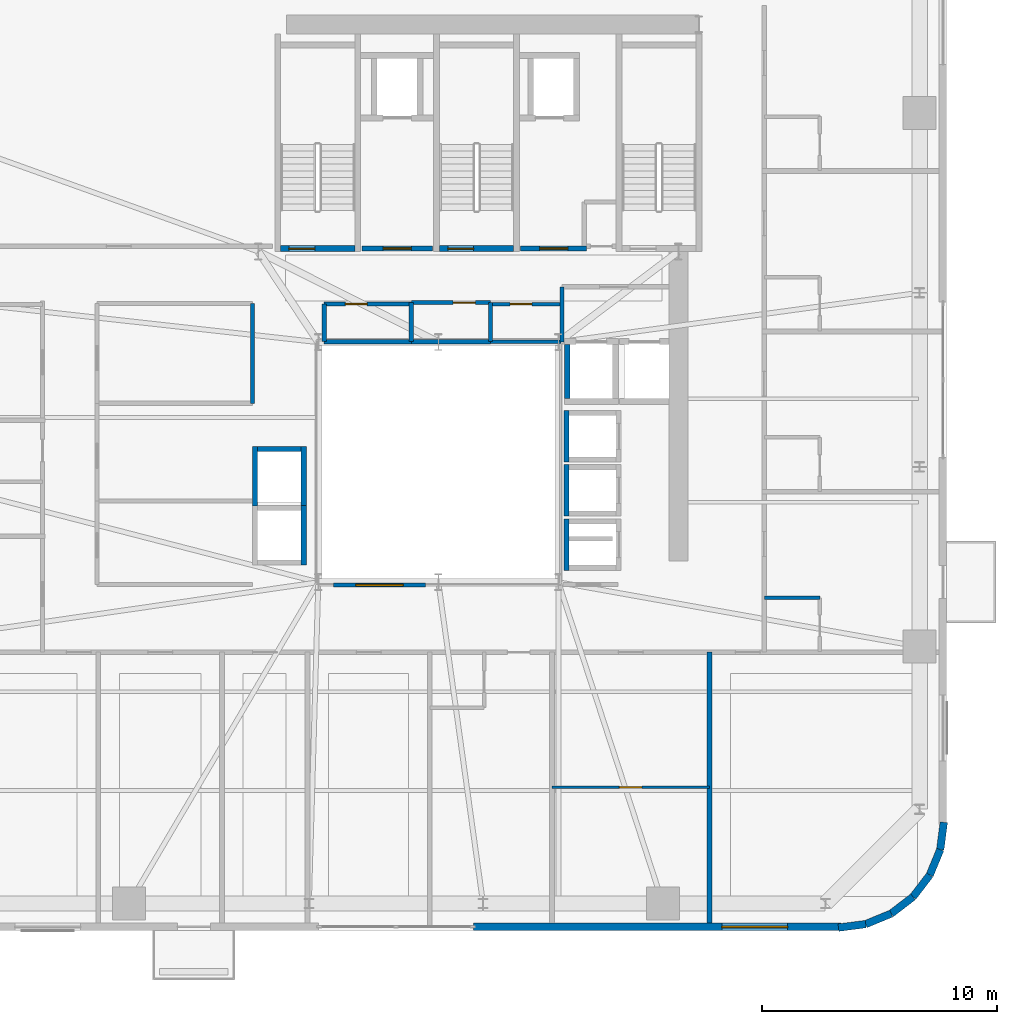
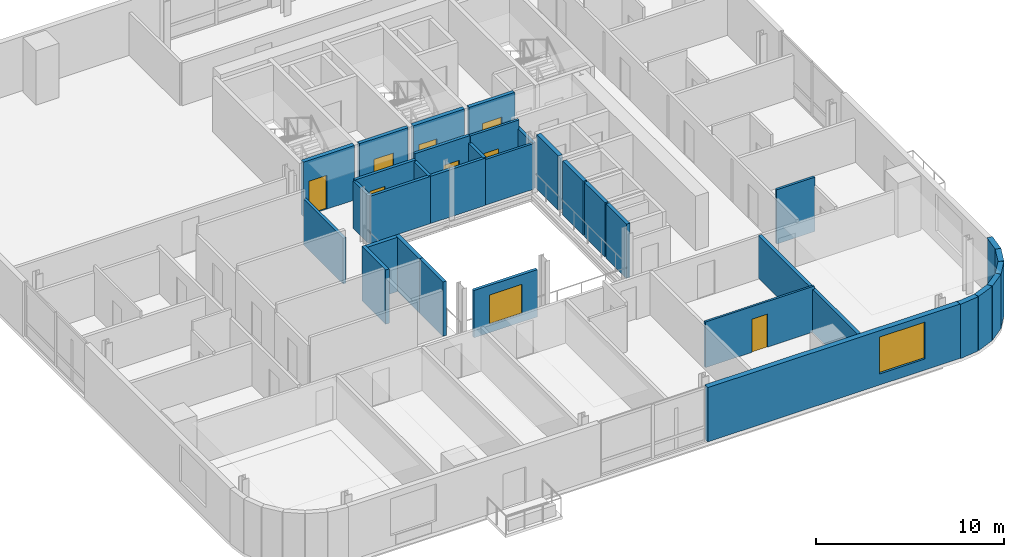
# One storey, part 8 of 13: 34 walls, 8 doors, 2 windows, 10 openings.
"""IFC4 building model written with IfcOpenShell, lengths in metres."""

from ifc_helpers import new_model, si_unit, direction, frame, frame_2d, origin, place, context, subcontext, project, spatial, rectangle, extrude, source, transform, mapped, material, layer, layer_set, type_object, element, fill, save


model = new_model("IFC4")

# Units and contexts
model_context = context("Model", 3, precision=1e-05, world=origin(), true_north=direction((0.0, 1.0)))
body_context = subcontext(model_context, "Body", "Model", "MODEL_VIEW")
ifc_project = project(units=[si_unit("LENGTHUNIT", "METRE"), si_unit("AREAUNIT", "SQUARE_METRE"), si_unit("VOLUMEUNIT", "CUBIC_METRE"), si_unit("PLANEANGLEUNIT", "RADIAN"), si_unit("MASSUNIT", "GRAM", prefix="KILO")], contexts=[model_context])

# Site, building, storey
site_placement = place(None, origin())
site = spatial("IfcSite", under=ifc_project, at=site_placement, CompositionType="ELEMENT")
building_placement = place(site_placement, origin())
building = spatial("IfcBuilding", under=site, at=building_placement, Name="Vardaveli Station Tower", CompositionType="ELEMENT")
storey_placement = place(building_placement, frame((0.0, 0.0, 196.050048828125)))
storey = spatial("IfcBuildingStorey", under=building, at=storey_placement, Name="L50", CompositionType="ELEMENT", Elevation=196.050048828125)

# Wall, opening, window
ifc_material_1 = material(Name="Precast concrete C45/55", Category="concrete")
ifc_layer_1 = layer(ifc_material_1, 0.320068359375, Name="Precast concrete C45/55")
ifc_layer_set_1 = layer_set([ifc_layer_1], Name="Precast concrete C45/55")
wall_type_1 = type_object("IfcWallType", Name="WAL-EXT-STONE-320", PredefinedType="SOLIDWALL", material=ifc_layer_set_1)
shared_shape_1 = source(origin(), body_context, "Body", "SweptSolid", [
    extrude(rectangle(XDim=15.599853515625, YDim=0.320068359375, at=frame_2d((7.7998046875, 0.0))), origin(), (0.0, 0.0, 1.0), 3.530029296875),
])
wall_1_placement = place(storey_placement, frame((37.800048828125, 1.9599609375, 0.0), z_axis=(0.0, 0.0, 1.0), x_axis=(1.0, 0.0, 0.0)))
wall_1 = element("IfcWall", 1, at=wall_1_placement, inside=storey, type_object=wall_type_1, Name="EW-L50-S2", PredefinedType="SOLIDWALL", context=body_context, shape_type="MappedRepresentation", body=[
    mapped(shared_shape_1, transform((0.0, 0.0, 0.0), scale=1.0)),
])
shared_shape_2 = source(origin(), body_context, "Body", "SweptSolid", [
    extrude(rectangle(XDim=2.800048828125, YDim=2.39990234375, at=frame_2d((1.39990234375, 1.199951171875))), frame((0.0, 0.169921875, 0.0), z_axis=(0.0, -1.0, 0.0), x_axis=(1.0, 0.0, 0.0)), (0.0, 0.0, 1.0), 0.340087890625),
])
opening_1_placement = place(wall_1_placement, frame((10.544921875, 0.0, 0.719970703125)))
opening_1 = element("IfcOpeningElement", 2, at=opening_1_placement, cuts=wall_1, Name="Opening W-04", PredefinedType="OPENING", context=body_context, shape_type="MappedRepresentation", body=[
    mapped(shared_shape_2, transform((0.0, 0.0, 0.0), scale=1.0)),
])
ifc_material_2 = material(Name="Low-E solar-control glass", Category="glass")
window_type_1 = type_object("IfcWindowType", Name="WIN-SUITE-2800x2400", PartitioningType="SINGLE_PANEL", PredefinedType="WINDOW", material=ifc_material_2)
shared_shape_3 = source(origin(), body_context, "Body", "SweptSolid", [
    extrude(rectangle(XDim=2.800048828125, YDim=2.39990234375, at=frame_2d((1.39990234375, 1.199951171875))), frame((0.0, 0.030029296875, 0.0), z_axis=(0.0, -1.0, 0.0), x_axis=(1.0, 0.0, 0.0)), (0.0, 0.0, 1.0), 0.06005859375),
])
window_1_placement = place(opening_1_placement, origin())
window_1 = element("IfcWindow", 3, at=window_1_placement, inside=storey, type_object=window_type_1, Name="WN-L50-S2", OverallHeight=2.39990234375, OverallWidth=2.800048828125, PartitioningType="SINGLE_PANEL", PredefinedType="WINDOW", context=body_context, shape_type="MappedRepresentation", body=[
    mapped(shared_shape_3, transform((0.0, 0.0, 0.0), scale=1.0)),
])
fill(opening_1, window_1)

# Walls
shared_shape_4 = source(origin(), body_context, "Body", "SweptSolid", [
    extrude(rectangle(XDim=1.170654296875, YDim=0.320068359375, at=frame_2d((0.58544921875, 0.0))), origin(), (0.0, 0.0, 1.0), 3.530029296875),
])
wall_2_placement = place(storey_placement, frame((57.62548828125, 5.23974609375, 0.0), z_axis=(0.0, 0.0, 1.0), x_axis=(0.128269133229, 0.991739395941, 0.0)))
element("IfcWall", 4, at=wall_2_placement, inside=storey, type_object=wall_type_1, Name="EW-L50-CR2-6", PredefinedType="SOLIDWALL", context=body_context, shape_type="MappedRepresentation", body=[
    mapped(shared_shape_4, transform((0.0, 0.0, 0.0), scale=1.0)),
])
shared_shape_5 = source(origin(), body_context, "Body", "SweptSolid", [
    extrude(rectangle(XDim=1.1689453125, YDim=0.320068359375, at=frame_2d((0.58447265625, 0.0))), origin(), (0.0, 0.0, 1.0), 3.530029296875),
])
for number, where, z_axis, x_axis, name in (
    (5, (56.46875, 3.231201171875, 0.0), (0.0, 0.0, 1.0), (0.608387696831, 0.793639975269, 0.0), "EW-L50-CR2-4"),
    (6, (57.179931640625, 4.158935546875, 0.0), (0.0, 0.0, 1.0), (0.381127904695, 0.924522320046, 0.0), "EW-L50-CR2-5"),
):
    element("IfcWall", number, at=place(storey_placement, frame(where, z_axis=z_axis, x_axis=x_axis)), inside=storey, type_object=wall_type_1, Name=name, PredefinedType="SOLIDWALL", context=body_context, shape_type="MappedRepresentation", body=[
        mapped(shared_shape_5, transform((0.0, 0.0, 0.0), scale=1.0)),
    ])
shared_shape_6 = source(origin(), body_context, "Body", "SweptSolid", [
    extrude(rectangle(XDim=1.168701171875, YDim=0.320068359375, at=frame_2d((0.58447265625, 0.0))), origin(), (0.0, 0.0, 1.0), 3.530029296875),
])
wall_3_placement = place(storey_placement, frame((55.541259765625, 2.520263671875, 0.0), z_axis=(0.0, 0.0, 1.0), x_axis=(0.793663520347, 0.608356981114, 0.0)))
element("IfcWall", 7, at=wall_3_placement, inside=storey, type_object=wall_type_1, Name="EW-L50-CR2-3", PredefinedType="SOLIDWALL", context=body_context, shape_type="MappedRepresentation", body=[
    mapped(shared_shape_6, transform((0.0, 0.0, 0.0), scale=1.0)),
])
shared_shape_7 = source(origin(), body_context, "Body", "SweptSolid", [
    extrude(rectangle(XDim=1.16943359375, YDim=0.320068359375, at=frame_2d((0.584716796875, 0.0))), origin(), (0.0, 0.0, 1.0), 3.530029296875),
])
wall_4_placement = place(storey_placement, frame((54.460205078125, 2.074462890625, 0.0), z_axis=(0.0, 0.0, 1.0), x_axis=(0.924479075121, 0.381232789334, 0.0)))
element("IfcWall", 8, at=wall_4_placement, inside=storey, type_object=wall_type_1, Name="EW-L50-CR2-2", PredefinedType="SOLIDWALL", context=body_context, shape_type="MappedRepresentation", body=[
    mapped(shared_shape_7, transform((0.0, 0.0, 0.0), scale=1.0)),
])
shared_shape_8 = source(origin(), body_context, "Body", "SweptSolid", [
    extrude(rectangle(XDim=1.170166015625, YDim=0.320068359375, at=frame_2d((0.5849609375, 0.0))), origin(), (0.0, 0.0, 1.0), 3.530029296875),
])
wall_5_placement = place(storey_placement, frame((53.299560546875, 1.924560546875, 0.0), z_axis=(0.0, 0.0, 1.0), x_axis=(0.991762485493, 0.128090485085, 0.0)))
element("IfcWall", 9, at=wall_5_placement, inside=storey, type_object=wall_type_1, Name="EW-L50-CR2-1", PredefinedType="SOLIDWALL", context=body_context, shape_type="MappedRepresentation", body=[
    mapped(shared_shape_8, transform((0.0, 0.0, 0.0), scale=1.0)),
])

# Wall, opening, door
ifc_material_3 = material(Name="Concrete C40/50", Category="concrete")
ifc_layer_2 = layer(ifc_material_3, 0.25, Name="Concrete C40/50")
ifc_layer_set_2 = layer_set([ifc_layer_2], Name="Concrete C40/50")
wall_type_2 = type_object("IfcWallType", Name="WAL-SHAFT-250", PredefinedType="SOLIDWALL", material=ifc_layer_set_2)
shared_shape_9 = source(origin(), body_context, "Body", "SweptSolid", [
    extrude(rectangle(XDim=3.14990234375, YDim=0.25, at=frame_2d((1.574951171875, 0.0))), origin(), (0.0, 0.0, 1.0), 3.550048828125),
])
wall_6_placement = place(storey_placement, frame((29.60009765625, 30.77490234375, 0.0), z_axis=(0.0, 0.0, 1.0), x_axis=(1.0, 0.0, 0.0)))
wall_6 = element("IfcWall", 10, at=wall_6_placement, inside=storey, type_object=wall_type_2, Name="W-L50-ST-1S", PredefinedType="SOLIDWALL", context=body_context, shape_type="MappedRepresentation", body=[
    mapped(shared_shape_9, transform((0.0, 0.0, 0.0), scale=1.0)),
])
shared_shape_10 = source(origin(), body_context, "Body", "SweptSolid", [
    extrude(rectangle(XDim=1.10009765625, YDim=2.199951171875, at=frame_2d((0.550048828125, 1.10009765625))), frame((0.0, 0.135009765625, 0.0), z_axis=(0.0, -1.0, 0.0), x_axis=(1.0, 0.0, 0.0)), (0.0, 0.0, 1.0), 0.27001953125),
])
opening_2_placement = place(wall_6_placement, frame((0.35009765625, 0.0, 0.0)))
opening_2 = element("IfcOpeningElement", 11, at=opening_2_placement, cuts=wall_6, Name="Opening D-04", PredefinedType="OPENING", context=body_context, shape_type="MappedRepresentation", body=[
    mapped(shared_shape_10, transform((0.0, 0.0, 0.0), scale=1.0)),
])
ifc_material_4 = material(Name="Steel smokeproof fire doorset", Category="steel")
door_type_1 = type_object("IfcDoorType", Name="DR-ST-1100x2200", OperationType="NOTDEFINED", PredefinedType="DOOR", material=ifc_material_4)
shared_shape_11 = source(origin(), body_context, "Body", "SweptSolid", [
    extrude(rectangle(XDim=1.10009765625, YDim=2.199951171875, at=frame_2d((0.550048828125, 1.10009765625))), frame((0.0, 0.02490234375, 0.0), z_axis=(0.0, -1.0, 0.0), x_axis=(1.0, 0.0, 0.0)), (0.0, 0.0, 1.0), 0.050048828125),
])
door_1_placement = place(opening_2_placement, origin())
door_1 = element("IfcDoor", 12, at=door_1_placement, inside=storey, type_object=door_type_1, Name="DST-1-L50", OperationType="SINGLE_SWING_LEFT", OverallHeight=2.199951171875, OverallWidth=1.10009765625, PredefinedType="DOOR", context=body_context, shape_type="MappedRepresentation", body=[
    mapped(shared_shape_11, transform((0.0, 0.0, 0.0), scale=1.0)),
])
fill(opening_2, door_1)

wall_7_placement = place(storey_placement, frame((36.35009765625, 30.77490234375, 0.0), z_axis=(0.0, 0.0, 1.0), x_axis=(1.0, 0.0, 0.0)))
wall_7 = element("IfcWall", 13, at=wall_7_placement, inside=storey, type_object=wall_type_2, Name="W-L50-ST-2S", PredefinedType="SOLIDWALL", context=body_context, shape_type="MappedRepresentation", body=[
    mapped(shared_shape_9, transform((0.0, 0.0, 0.0), scale=1.0)),
])
opening_3_placement = place(wall_7_placement, frame((0.35009765625, 0.0, 0.0)))
opening_3 = element("IfcOpeningElement", 14, at=opening_3_placement, cuts=wall_7, Name="Opening D-04", PredefinedType="OPENING", context=body_context, shape_type="MappedRepresentation", body=[
    mapped(shared_shape_10, transform((0.0, 0.0, 0.0), scale=1.0)),
])
door_2_placement = place(opening_3_placement, origin())
door_2 = element("IfcDoor", 15, at=door_2_placement, inside=storey, type_object=door_type_1, Name="DST-2-L50", OperationType="SINGLE_SWING_LEFT", OverallHeight=2.199951171875, OverallWidth=1.10009765625, PredefinedType="DOOR", context=body_context, shape_type="MappedRepresentation", body=[
    mapped(shared_shape_11, transform((0.0, 0.0, 0.0), scale=1.0)),
])
fill(opening_3, door_2)

ifc_layer_3 = layer(ifc_material_3, 0.219970703125, Name="Concrete C40/50")
ifc_layer_set_3 = layer_set([ifc_layer_3], Name="Concrete C40/50")
wall_type_3 = type_object("IfcWallType", Name="WAL-FFLOBBY-220", PredefinedType="SOLIDWALL", material=ifc_layer_set_3)
shared_shape_12 = source(origin(), body_context, "Body", "SweptSolid", [
    extrude(rectangle(XDim=3.0, YDim=0.219970703125, at=frame_2d((1.5, 0.0))), origin(), (0.0, 0.0, 1.0), 3.530029296875),
])
wall_8_placement = place(storey_placement, frame((33.050048828125, 30.780029296875, 0.0), z_axis=(0.0, 0.0, 1.0), x_axis=(1.0, 0.0, 0.0)))
wall_8 = element("IfcWall", 16, at=wall_8_placement, inside=storey, type_object=wall_type_3, Name="W-L50-FFL1S", PredefinedType="SOLIDWALL", context=body_context, shape_type="MappedRepresentation", body=[
    mapped(shared_shape_12, transform((0.0, 0.0, 0.0), scale=1.0)),
])
shared_shape_13 = source(origin(), body_context, "Body", "SweptSolid", [
    extrude(rectangle(XDim=1.199951171875, YDim=2.199951171875, at=frame_2d((0.60009765625, 1.10009765625))), frame((0.0, 0.1201171875, 0.0), z_axis=(0.0, -1.0, 0.0), x_axis=(1.0, 0.0, 0.0)), (0.0, 0.0, 1.0), 0.239990234375),
])
opening_4_placement = place(wall_8_placement, frame((0.89990234375, 0.0, 0.0)))
opening_4 = element("IfcOpeningElement", 17, at=opening_4_placement, cuts=wall_8, Name="Opening D-03", PredefinedType="OPENING", context=body_context, shape_type="MappedRepresentation", body=[
    mapped(shared_shape_13, transform((0.0, 0.0, 0.0), scale=1.0)),
])
door_type_2 = type_object("IfcDoorType", Name="DR-FFL-1200x2200", OperationType="NOTDEFINED", PredefinedType="DOOR", material=ifc_material_4)
shared_shape_14 = source(origin(), body_context, "Body", "SweptSolid", [
    extrude(rectangle(XDim=1.199951171875, YDim=2.199951171875, at=frame_2d((0.60009765625, 1.10009765625))), frame((0.0, 0.02490234375, 0.0), z_axis=(0.0, -1.0, 0.0), x_axis=(1.0, 0.0, 0.0)), (0.0, 0.0, 1.0), 0.050048828125),
])
door_3_placement = place(opening_4_placement, origin())
door_3 = element("IfcDoor", 18, at=door_3_placement, inside=storey, type_object=door_type_2, Name="DFFL1-L50", OperationType="SINGLE_SWING_LEFT", OverallHeight=2.199951171875, OverallWidth=1.199951171875, PredefinedType="DOOR", context=body_context, shape_type="MappedRepresentation", body=[
    mapped(shared_shape_14, transform((0.0, 0.0, 0.0), scale=1.0)),
])
fill(opening_4, door_3)

shared_shape_15 = source(origin(), body_context, "Body", "SweptSolid", [
    extrude(rectangle(XDim=2.800048828125, YDim=0.219970703125, at=frame_2d((1.39990234375, 0.0))), origin(), (0.0, 0.0, 1.0), 3.530029296875),
])
wall_9_placement = place(storey_placement, frame((39.800048828125, 30.780029296875, 0.0), z_axis=(0.0, 0.0, 1.0), x_axis=(1.0, 0.0, 0.0)))
wall_9 = element("IfcWall", 19, at=wall_9_placement, inside=storey, type_object=wall_type_3, Name="W-L50-FFL2S", PredefinedType="SOLIDWALL", context=body_context, shape_type="MappedRepresentation", body=[
    mapped(shared_shape_15, transform((0.0, 0.0, 0.0), scale=1.0)),
])
opening_5_placement = place(wall_9_placement, frame((0.800048828125, 0.0, 0.0)))
opening_5 = element("IfcOpeningElement", 20, at=opening_5_placement, cuts=wall_9, Name="Opening D-03", PredefinedType="OPENING", context=body_context, shape_type="MappedRepresentation", body=[
    mapped(shared_shape_13, transform((0.0, 0.0, 0.0), scale=1.0)),
])
door_4_placement = place(opening_5_placement, origin())
door_4 = element("IfcDoor", 21, at=door_4_placement, inside=storey, type_object=door_type_2, Name="DFFL2-L50", OperationType="SINGLE_SWING_RIGHT", OverallHeight=2.199951171875, OverallWidth=1.199951171875, PredefinedType="DOOR", context=body_context, shape_type="MappedRepresentation", body=[
    mapped(shared_shape_14, transform((0.0, 0.0, 0.0), scale=1.0)),
])
fill(opening_5, door_4)

# Walls
shared_shape_16 = source(origin(), body_context, "Body", "SweptSolid", [
    extrude(rectangle(XDim=2.18994140625, YDim=0.219970703125, at=frame_2d((1.094970703125, 0.0))), origin(), (0.0, 0.0, 1.0), 3.530029296875),
])
for number, where, z_axis, x_axis, name in (
    (22, (41.739990234375, 21.705078125, 0.0), (0.0, 0.0, 1.0), (0.0, 1.0, 0.0), "SHW-HL3-01-L50-W"),
    (23, (41.739990234375, 19.405029296875, 0.0), (0.0, 0.0, 1.0), (0.0, 1.0, 0.0), "SHW-HL3-02-L50-W"),
    (24, (41.739990234375, 17.10498046875, 0.0), (0.0, 0.0, 1.0), (0.0, 1.0, 0.0), "SHW-HL3-03-L50-W"),
):
    element("IfcWall", number, at=place(storey_placement, frame(where, z_axis=z_axis, x_axis=x_axis)), inside=storey, type_object=wall_type_3, Name=name, PredefinedType="SOLIDWALL", context=body_context, shape_type="MappedRepresentation", body=[
        mapped(shared_shape_16, transform((0.0, 0.0, 0.0), scale=1.0)),
    ])
shared_shape_17 = source(origin(), body_context, "Body", "SweptSolid", [
    extrude(rectangle(XDim=1.85009765625, YDim=0.219970703125, at=frame_2d((0.925048828125, 0.0))), origin(), (0.0, 0.0, 1.0), 3.530029296875),
])
wall_10_placement = place(storey_placement, frame((28.625, 22.260009765625, 0.0), z_axis=(0.0, 0.0, 1.0), x_axis=(1.0, 0.0, 0.0)))
element("IfcWall", 25, at=wall_10_placement, inside=storey, type_object=wall_type_3, Name="SHW-OBS-02-L50-N", PredefinedType="SOLIDWALL", context=body_context, shape_type="MappedRepresentation", body=[
    mapped(shared_shape_17, transform((0.0, 0.0, 0.0), scale=1.0)),
])
shared_shape_18 = source(origin(), body_context, "Body", "SweptSolid", [
    extrude(rectangle(XDim=2.5400390625, YDim=0.219970703125, at=frame_2d((1.27001953125, 0.0))), origin(), (0.0, 0.0, 1.0), 3.530029296875),
])
for number, where, z_axis, x_axis, name in (
    (26, (30.5849609375, 17.330078125, 0.0), (0.0, 0.0, 1.0), (0.0, 1.0, 0.0), "SHW-OBS-01-L50-E"),
    (27, (28.514892578125, 19.830078125, 0.0), (0.0, 0.0, 1.0), (0.0, 1.0, 0.0), "SHW-OBS-02-L50-W"),
    (28, (30.5849609375, 19.830078125, 0.0), (0.0, 0.0, 1.0), (0.0, 1.0, 0.0), "SHW-OBS-02-L50-E"),
):
    element("IfcWall", number, at=place(storey_placement, frame(where, z_axis=z_axis, x_axis=x_axis)), inside=storey, type_object=wall_type_3, Name=name, PredefinedType="SOLIDWALL", context=body_context, shape_type="MappedRepresentation", body=[
        mapped(shared_shape_18, transform((0.0, 0.0, 0.0), scale=1.0)),
    ])
shared_shape_19 = source(origin(), body_context, "Body", "SweptSolid", [
    extrude(rectangle(XDim=2.300048828125, YDim=0.25, at=frame_2d((1.14990234375, 0.0))), origin(), (0.0, 0.0, 1.0), 3.530029296875),
])
wall_11_placement = place(storey_placement, frame((41.77490234375, 24.39990234375, 0.0), z_axis=(0.0, 0.0, 1.0), x_axis=(0.0, 1.0, 0.0)))
element("IfcWall", 29, at=wall_11_placement, inside=storey, type_object=wall_type_2, Name="SHW-SRV-01-L50-W", PredefinedType="SOLIDWALL", context=body_context, shape_type="MappedRepresentation", body=[
    mapped(shared_shape_19, transform((0.0, 0.0, 0.0), scale=1.0)),
])
ifc_material_5 = material(Name="Fire-rated gypsum stud partition")
ifc_layer_4 = layer(ifc_material_5, 0.179931640625, Name="Fire-rated gypsum stud partition")
ifc_layer_set_4 = layer_set([ifc_layer_4], Name="Fire-rated gypsum stud partition")
wall_type_4 = type_object("IfcWallType", Name="WAL-CORR-180", PredefinedType="PARTITIONING", material=ifc_layer_set_4)
shared_shape_20 = source(origin(), body_context, "Body", "SweptSolid", [
    extrude(rectangle(XDim=4.239990234375, YDim=0.179931640625, at=frame_2d((2.1201171875, 0.0))), origin(), (0.0, 0.0, 1.0), 2.971923828125),
])
wall_12_placement = place(storey_placement, frame((28.39990234375, 24.199951171875, 0.0), z_axis=(0.0, 0.0, 1.0), x_axis=(0.0, 1.0, 0.0)))
element("IfcWall", 30, at=wall_12_placement, inside=storey, type_object=wall_type_4, Name="W-L50-ATWC-E", PredefinedType="PARTITIONING", context=body_context, shape_type="MappedRepresentation", body=[
    mapped(shared_shape_20, transform((0.0, 0.0, 0.0), scale=1.0)),
])

# Wall, opening, door
shared_shape_21 = source(origin(), body_context, "Body", "SweptSolid", [
    extrude(rectangle(XDim=3.699951171875, YDim=0.179931640625, at=frame_2d((1.85009765625, 0.0))), origin(), (0.0, 0.0, 1.0), 3.161865234375),
])
wall_13_placement = place(storey_placement, frame((31.449951171875, 28.419921875, 0.0), z_axis=(0.0, 0.0, 1.0), x_axis=(1.0, 0.0, 0.0)))
wall_13 = element("IfcWall", 31, at=wall_13_placement, inside=storey, type_object=wall_type_4, Name="W-L50-CS2A-N", PredefinedType="PARTITIONING", context=body_context, shape_type="MappedRepresentation", body=[
    mapped(shared_shape_21, transform((0.0, 0.0, 0.0), scale=1.0)),
])
shared_shape_22 = source(origin(), body_context, "Body", "SweptSolid", [
    extrude(rectangle(XDim=0.919921875, YDim=2.10009765625, at=frame_2d((0.4599609375, 1.050048828125))), frame((0.0, 0.10009765625, 0.0), z_axis=(0.0, -1.0, 0.0), x_axis=(1.0, 0.0, 0.0)), (0.0, 0.0, 1.0), 0.199951171875),
])
opening_6_placement = place(wall_13_placement, frame((0.89990234375, 0.0, 0.0)))
opening_6 = element("IfcOpeningElement", 32, at=opening_6_placement, cuts=wall_13, Name="Opening D-07", PredefinedType="OPENING", context=body_context, shape_type="MappedRepresentation", body=[
    mapped(shared_shape_22, transform((0.0, 0.0, 0.0), scale=1.0)),
])
ifc_material_6 = material(Name="Moisture-resistant hardwood door", Category="wood")
door_type_3 = type_object("IfcDoorType", Name="DR-WC-920x2100", OperationType="NOTDEFINED", PredefinedType="DOOR", material=ifc_material_6)
shared_shape_23 = source(origin(), body_context, "Body", "SweptSolid", [
    extrude(rectangle(XDim=0.919921875, YDim=2.10009765625, at=frame_2d((0.4599609375, 1.050048828125))), frame((0.0, 0.02490234375, 0.0), z_axis=(0.0, -1.0, 0.0), x_axis=(1.0, 0.0, 0.0)), (0.0, 0.0, 1.0), 0.050048828125),
])
door_5_placement = place(opening_6_placement, origin())
door_5 = element("IfcDoor", 33, at=door_5_placement, inside=storey, type_object=door_type_3, Name="D-L50-CS2A", OperationType="SINGLE_SWING_LEFT", OverallHeight=2.10009765625, OverallWidth=0.919921875, PredefinedType="DOOR", context=body_context, shape_type="MappedRepresentation", body=[
    mapped(shared_shape_23, transform((0.0, 0.0, 0.0), scale=1.0)),
])
fill(opening_6, door_5)

shared_shape_24 = source(origin(), body_context, "Body", "SweptSolid", [
    extrude(rectangle(XDim=3.3701171875, YDim=0.179931640625, at=frame_2d((1.68505859375, 0.0))), origin(), (0.0, 0.0, 1.0), 3.530029296875),
])
wall_14_placement = place(storey_placement, frame((35.14990234375, 28.47998046875, 0.0), z_axis=(0.0, 0.0, 1.0), x_axis=(1.0, 0.0, 0.0)))
wall_14 = element("IfcWall", 34, at=wall_14_placement, inside=storey, type_object=wall_type_4, Name="W-L50-HKP2-N", PredefinedType="PARTITIONING", context=body_context, shape_type="MappedRepresentation", body=[
    mapped(shared_shape_24, transform((0.0, 0.0, 0.0), scale=1.0)),
])
shared_shape_25 = source(origin(), body_context, "Body", "SweptSolid", [
    extrude(rectangle(XDim=0.949951171875, YDim=2.14990234375, at=frame_2d((0.47509765625, 1.074951171875))), frame((0.0, 0.10009765625, 0.0), z_axis=(0.0, -1.0, 0.0), x_axis=(1.0, 0.0, 0.0)), (0.0, 0.0, 1.0), 0.199951171875),
])
opening_7_placement = place(wall_14_placement, frame((1.77490234375, 0.0, 0.0)))
opening_7 = element("IfcOpeningElement", 35, at=opening_7_placement, cuts=wall_14, Name="Opening D-06", PredefinedType="OPENING", context=body_context, shape_type="MappedRepresentation", body=[
    mapped(shared_shape_25, transform((0.0, 0.0, 0.0), scale=1.0)),
])
ifc_material_7 = material(Name="Oak veneer acoustic fire door")
door_type_4 = type_object("IfcDoorType", Name="DR-GUEST-950x2150", OperationType="NOTDEFINED", PredefinedType="DOOR", material=ifc_material_7)
shared_shape_26 = source(origin(), body_context, "Body", "SweptSolid", [
    extrude(rectangle(XDim=0.949951171875, YDim=2.14990234375, at=frame_2d((0.47509765625, 1.074951171875))), frame((0.0, 0.02490234375, 0.0), z_axis=(0.0, -1.0, 0.0), x_axis=(1.0, 0.0, 0.0)), (0.0, 0.0, 1.0), 0.050048828125),
])
door_6_placement = place(opening_7_placement, origin())
door_6 = element("IfcDoor", 36, at=door_6_placement, inside=storey, type_object=door_type_4, Name="D-L50-HKP", OperationType="SINGLE_SWING_LEFT", OverallHeight=2.14990234375, OverallWidth=0.949951171875, PredefinedType="DOOR", context=body_context, shape_type="MappedRepresentation", body=[
    mapped(shared_shape_26, transform((0.0, 0.0, 0.0), scale=1.0)),
])
fill(opening_7, door_6)

ifc_material_8 = material(Name="Moisture-resistant stud partition")
ifc_layer_5 = layer(ifc_material_8, 0.14990234375, Name="Moisture-resistant stud partition")
ifc_layer_set_5 = layer_set([ifc_layer_5], Name="Moisture-resistant stud partition")
wall_type_5 = type_object("IfcWallType", Name="WAL-WET-150", PredefinedType="PARTITIONING", material=ifc_layer_set_5)
shared_shape_27 = source(origin(), body_context, "Body", "SweptSolid", [
    extrude(rectangle(XDim=3.0, YDim=0.14990234375, at=frame_2d((1.5, 0.0))), origin(), (0.0, 0.0, 1.0), 3.530029296875),
])
wall_15_placement = place(storey_placement, frame((38.52001953125, 28.419921875, 0.0), z_axis=(0.0, 0.0, 1.0), x_axis=(1.0, 0.0, 0.0)))
wall_15 = element("IfcWall", 37, at=wall_15_placement, inside=storey, type_object=wall_type_5, Name="W-L50-WCA2-N", PredefinedType="PARTITIONING", context=body_context, shape_type="MappedRepresentation", body=[
    mapped(shared_shape_27, transform((0.0, 0.0, 0.0), scale=1.0)),
])
shared_shape_28 = source(origin(), body_context, "Body", "SweptSolid", [
    extrude(rectangle(XDim=0.919921875, YDim=2.10009765625, at=frame_2d((0.4599609375, 1.050048828125))), frame((0.0, 0.0849609375, 0.0), z_axis=(0.0, -1.0, 0.0), x_axis=(1.0, 0.0, 0.0)), (0.0, 0.0, 1.0), 0.169921875),
])
opening_8_placement = place(wall_15_placement, frame((0.830078125, 0.0, 0.0)))
opening_8 = element("IfcOpeningElement", 38, at=opening_8_placement, cuts=wall_15, Name="Opening D-07", PredefinedType="OPENING", context=body_context, shape_type="MappedRepresentation", body=[
    mapped(shared_shape_28, transform((0.0, 0.0, 0.0), scale=1.0)),
])
door_7_placement = place(opening_8_placement, origin())
door_7 = element("IfcDoor", 39, at=door_7_placement, inside=storey, type_object=door_type_3, Name="D-L50-WCA", OperationType="SINGLE_SWING_LEFT", OverallHeight=2.10009765625, OverallWidth=0.919921875, PredefinedType="DOOR", context=body_context, shape_type="MappedRepresentation", body=[
    mapped(shared_shape_23, transform((0.0, 0.0, 0.0), scale=1.0)),
])
fill(opening_8, door_7)

# Walls
shared_shape_29 = source(origin(), body_context, "Body", "SweptSolid", [
    extrude(rectangle(XDim=3.699951171875, YDim=0.179931640625, at=frame_2d((1.85009765625, 0.0))), origin(), (0.0, 0.0, 1.0), 3.072021484375),
])
wall_16_placement = place(storey_placement, frame((31.449951171875, 26.820068359375, 0.0), z_axis=(0.0, 0.0, 1.0), x_axis=(1.0, 0.0, 0.0)))
element("IfcWall", 40, at=wall_16_placement, inside=storey, type_object=wall_type_4, Name="W-L50-CS2A-S", PredefinedType="PARTITIONING", context=body_context, shape_type="MappedRepresentation", body=[
    mapped(shared_shape_29, transform((0.0, 0.0, 0.0), scale=1.0)),
])
shared_shape_30 = source(origin(), body_context, "Body", "SweptSolid", [
    extrude(rectangle(XDim=3.3701171875, YDim=0.179931640625, at=frame_2d((1.68505859375, 0.0))), origin(), (0.0, 0.0, 1.0), 3.072021484375),
])
wall_17_placement = place(storey_placement, frame((35.14990234375, 26.820068359375, 0.0), z_axis=(0.0, 0.0, 1.0), x_axis=(1.0, 0.0, 0.0)))
element("IfcWall", 41, at=wall_17_placement, inside=storey, type_object=wall_type_4, Name="W-L50-HKP2-S", PredefinedType="PARTITIONING", context=body_context, shape_type="MappedRepresentation", body=[
    mapped(shared_shape_30, transform((0.0, 0.0, 0.0), scale=1.0)),
])
shared_shape_31 = source(origin(), body_context, "Body", "SweptSolid", [
    extrude(rectangle(XDim=3.0, YDim=0.14990234375, at=frame_2d((1.5, 0.0))), origin(), (0.0, 0.0, 1.0), 2.971923828125),
])
wall_18_placement = place(storey_placement, frame((38.52001953125, 26.820068359375, 0.0), z_axis=(0.0, 0.0, 1.0), x_axis=(1.0, 0.0, 0.0)))
element("IfcWall", 42, at=wall_18_placement, inside=storey, type_object=wall_type_5, Name="W-L50-WCA2-S", PredefinedType="PARTITIONING", context=body_context, shape_type="MappedRepresentation", body=[
    mapped(shared_shape_31, transform((0.0, 0.0, 0.0), scale=1.0)),
])
shared_shape_32 = source(origin(), body_context, "Body", "SweptSolid", [
    extrude(rectangle(XDim=2.360107421875, YDim=0.14990234375, at=frame_2d((1.18017578125, 0.0))), origin(), (0.0, 0.0, 1.0), 3.530029296875),
])
wall_19_placement = place(storey_placement, frame((50.14990234375, 15.93994140625, 0.0), z_axis=(0.0, 0.0, 1.0), x_axis=(1.0, 0.0, 0.0)))
element("IfcWall", 43, at=wall_19_placement, inside=storey, type_object=wall_type_5, Name="W-L50-BE1-N", PredefinedType="PARTITIONING", context=body_context, shape_type="MappedRepresentation", body=[
    mapped(shared_shape_32, transform((0.0, 0.0, 0.0), scale=1.0)),
])
shared_shape_33 = source(origin(), body_context, "Body", "SweptSolid", [
    extrude(rectangle(XDim=2.349853515625, YDim=0.179931640625, at=frame_2d((1.1748046875, 0.0))), origin(), (0.0, 0.0, 1.0), 2.971923828125),
])
wall_20_placement = place(storey_placement, frame((41.550048828125, 26.800048828125, 0.0), z_axis=(0.0, 0.0, 1.0), x_axis=(0.0, 1.0, 0.0)))
element("IfcWall", 44, at=wall_20_placement, inside=storey, type_object=wall_type_4, Name="W-L50-SVFW", PredefinedType="PARTITIONING", context=body_context, shape_type="MappedRepresentation", body=[
    mapped(shared_shape_33, transform((0.0, 0.0, 0.0), scale=1.0)),
])
shared_shape_34 = source(origin(), body_context, "Body", "SweptSolid", [
    extrude(rectangle(XDim=1.659912109375, YDim=0.179931640625, at=frame_2d((0.830078125, 0.0))), origin(), (0.0, 0.0, 1.0), 3.072021484375),
])
for number, where, z_axis, x_axis, name in (
    (45, (35.14990234375, 26.820068359375, 0.0), (0.0, 0.0, 1.0), (0.0, 1.0, 0.0), "W-L50-HKP2-W"),
    (46, (38.52001953125, 26.820068359375, 0.0), (0.0, 0.0, 1.0), (0.0, 1.0, 0.0), "W-L50-HKP2-E"),
):
    element("IfcWall", number, at=place(storey_placement, frame(where, z_axis=z_axis, x_axis=x_axis)), inside=storey, type_object=wall_type_4, Name=name, PredefinedType="PARTITIONING", context=body_context, shape_type="MappedRepresentation", body=[
        mapped(shared_shape_34, transform((0.0, 0.0, 0.0), scale=1.0)),
    ])
shared_shape_35 = source(origin(), body_context, "Body", "SweptSolid", [
    extrude(rectangle(XDim=1.599853515625, YDim=0.179931640625, at=frame_2d((0.7998046875, 0.0))), origin(), (0.0, 0.0, 1.0), 3.072021484375),
])
wall_21_placement = place(storey_placement, frame((31.449951171875, 26.820068359375, 0.0), z_axis=(0.0, 0.0, 1.0), x_axis=(0.0, 1.0, 0.0)))
element("IfcWall", 47, at=wall_21_placement, inside=storey, type_object=wall_type_4, Name="W-L50-CS2A-W", PredefinedType="PARTITIONING", context=body_context, shape_type="MappedRepresentation", body=[
    mapped(shared_shape_35, transform((0.0, 0.0, 0.0), scale=1.0)),
])

# Wall, opening, door
ifc_material_9 = material(Name="Gypsum board stud partition")
ifc_layer_6 = layer(ifc_material_9, 0.125, Name="Gypsum board stud partition")
ifc_layer_set_6 = layer_set([ifc_layer_6], Name="Gypsum board stud partition")
wall_type_6 = type_object("IfcWallType", Name="WAL-INT-125", PredefinedType="PARTITIONING", material=ifc_layer_set_6)
shared_shape_36 = source(origin(), body_context, "Body", "SweptSolid", [
    extrude(rectangle(XDim=6.694091796875, YDim=0.125, at=frame_2d((3.34716796875, 0.0))), origin(), (0.0, 0.0, 1.0), 2.971923828125),
])
wall_22_placement = place(storey_placement, frame((41.1259765625, 7.889892578125, 0.0), z_axis=(0.0, 0.0, 1.0), x_axis=(1.0, 0.0, 0.0)))
wall_22 = element("IfcWall", 48, at=wall_22_placement, inside=storey, type_object=wall_type_6, Name="W-L50-SCM6", PredefinedType="PARTITIONING", context=body_context, shape_type="MappedRepresentation", body=[
    mapped(shared_shape_36, transform((0.0, 0.0, 0.0), scale=1.0)),
])
shared_shape_37 = source(origin(), body_context, "Body", "SweptSolid", [
    extrude(rectangle(XDim=0.949951171875, YDim=2.14990234375, at=frame_2d((0.47509765625, 1.074951171875))), frame((0.0, 0.072509765625, 0.0), z_axis=(0.0, -1.0, 0.0), x_axis=(1.0, 0.0, 0.0)), (0.0, 0.0, 1.0), 0.14501953125),
])
opening_9_placement = place(wall_22_placement, frame((2.866943359375, 0.0, 0.0)))
opening_9 = element("IfcOpeningElement", 49, at=opening_9_placement, cuts=wall_22, Name="Opening D-11", PredefinedType="OPENING", context=body_context, shape_type="MappedRepresentation", body=[
    mapped(shared_shape_37, transform((0.0, 0.0, 0.0), scale=1.0)),
])
ifc_material_10 = material(Name="Oak veneer internal suite door")
door_type_5 = type_object("IfcDoorType", Name="DR-INT-950x2150", OperationType="NOTDEFINED", PredefinedType="DOOR", material=ifc_material_10)
door_8_placement = place(opening_9_placement, origin())
door_8 = element("IfcDoor", 50, at=door_8_placement, inside=storey, type_object=door_type_5, Name="D-L50-SCF6", OperationType="SINGLE_SWING_RIGHT", OverallHeight=2.14990234375, OverallWidth=0.949951171875, PredefinedType="DOOR", context=body_context, shape_type="MappedRepresentation", body=[
    mapped(shared_shape_26, transform((0.0, 0.0, 0.0), scale=1.0)),
])
fill(opening_9, door_8)

# Wall
ifc_material_11 = material(Name="Acoustic twin-stud gypsum partition")
ifc_layer_7 = layer(ifc_material_11, 0.199951171875, Name="Acoustic twin-stud gypsum partition")
ifc_layer_set_7 = layer_set([ifc_layer_7], Name="Acoustic twin-stud gypsum partition")
wall_type_7 = type_object("IfcWallType", Name="WAL-PARTY-200", PredefinedType="PARTITIONING", material=ifc_layer_set_7)
shared_shape_38 = source(origin(), body_context, "Body", "SweptSolid", [
    extrude(rectangle(XDim=11.5078125, YDim=0.199951171875, at=frame_2d((5.75390625, 0.0))), origin(), (0.0, 0.0, 1.0), 2.77197265625),
])
wall_23_placement = place(storey_placement, frame((47.820068359375, 2.1220703125, 0.0), z_axis=(0.0, 0.0, 1.0), x_axis=(0.0, 1.0, 0.0)))
element("IfcWall", 51, at=wall_23_placement, inside=storey, type_object=wall_type_7, Name="W-L50-PS6", PredefinedType="PARTITIONING", context=body_context, shape_type="MappedRepresentation", body=[
    mapped(shared_shape_38, transform((0.0, 0.0, 0.0), scale=1.0)),
])

# Wall, opening, window
shared_shape_39 = source(origin(), body_context, "Body", "SweptSolid", [
    extrude(rectangle(XDim=3.89990234375, YDim=0.179931640625, at=frame_2d((1.949951171875, 0.0))), origin(), (0.0, 0.0, 1.0), 3.072021484375),
])
wall_24_placement = place(storey_placement, frame((31.85009765625, 16.47998046875, 0.0), z_axis=(0.0, 0.0, 1.0), x_axis=(1.0, 0.0, 0.0)))
wall_24 = element("IfcWall", 52, at=wall_24_placement, inside=storey, type_object=wall_type_4, Name="WAT-L50-S", PredefinedType="PARTITIONING", context=body_context, shape_type="MappedRepresentation", body=[
    mapped(shared_shape_39, transform((0.0, 0.0, 0.0), scale=1.0)),
])
shared_shape_40 = source(origin(), body_context, "Body", "SweptSolid", [
    extrude(rectangle(XDim=2.0, YDim=1.89990234375, at=frame_2d((1.0, 0.949951171875))), frame((0.0, 0.10009765625, 0.0), z_axis=(0.0, -1.0, 0.0), x_axis=(1.0, 0.0, 0.0)), (0.0, 0.0, 1.0), 0.199951171875),
])
opening_10_placement = place(wall_24_placement, frame((0.949951171875, 0.0, 0.550048828125)))
opening_10 = element("IfcOpeningElement", 53, at=opening_10_placement, cuts=wall_24, Name="Opening W-07", PredefinedType="OPENING", context=body_context, shape_type="MappedRepresentation", body=[
    mapped(shared_shape_40, transform((0.0, 0.0, 0.0), scale=1.0)),
])
ifc_material_12 = material(Name="Tempered EI 60 fire-rated glass", Category="glass")
window_type_2 = type_object("IfcWindowType", Name="WIN-ATRIUM-2000x2400", PartitioningType="SINGLE_PANEL", PredefinedType="WINDOW", material=ifc_material_12)
shared_shape_41 = source(origin(), body_context, "Body", "SweptSolid", [
    extrude(rectangle(XDim=2.0, YDim=1.89990234375, at=frame_2d((1.0, 0.949951171875))), frame((0.0, 0.030029296875, 0.0), z_axis=(0.0, -1.0, 0.0), x_axis=(1.0, 0.0, 0.0)), (0.0, 0.0, 1.0), 0.06005859375),
])
window_2_placement = place(opening_10_placement, origin())
window_2 = element("IfcWindow", 54, at=window_2_placement, inside=storey, type_object=window_type_2, Name="WNAT-L50-1", OverallHeight=1.89990234375, OverallWidth=2.0, PartitioningType="SINGLE_PANEL", PredefinedType="WINDOW", context=body_context, shape_type="MappedRepresentation", body=[
    mapped(shared_shape_41, transform((0.0, 0.0, 0.0), scale=1.0)),
])
fill(opening_10, window_2)

save(model, "model.ifc")
